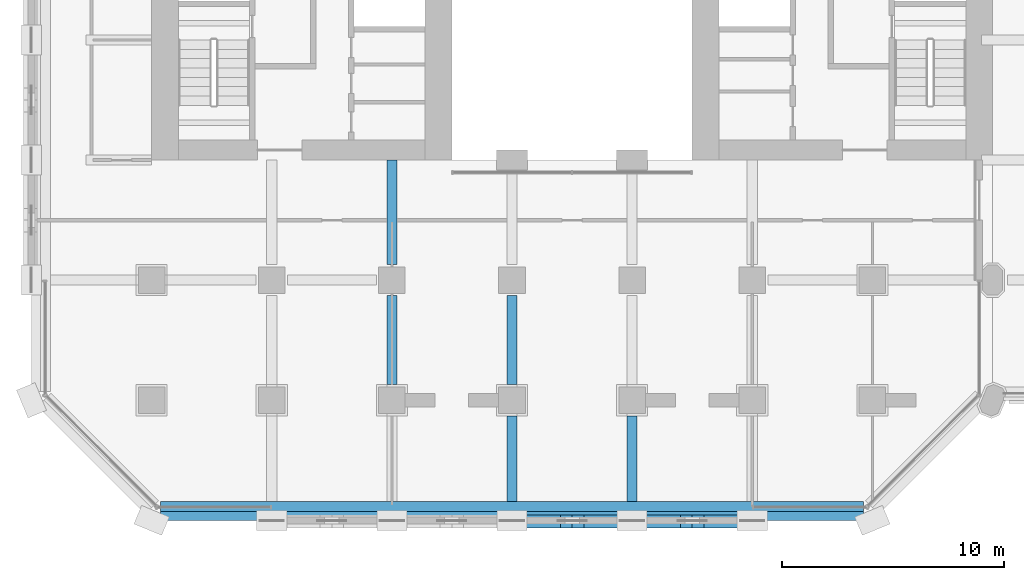
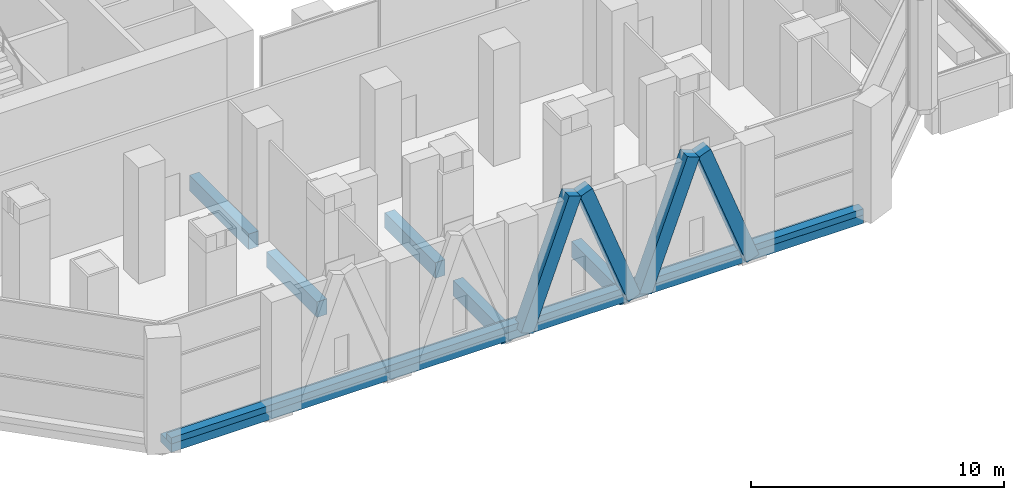
# One storey, part 3 of 34: 7 beams, 4 members.
"""IFC4 building model written with IfcOpenShell, lengths in metres."""

from ifc_helpers import new_model, si_unit, direction, frame, origin, origin_2d, place, context, subcontext, project, spatial, rectangle, extrude, material, material_profile, profile_set, type_object, element, save


model = new_model("IFC4")

# Units and contexts
model_context = context("Model", 3, precision=1e-05, world=origin(), true_north=direction((0.0, 1.0)))
body_context = subcontext(model_context, "Body", "Model", "MODEL_VIEW")
ifc_project = project(units=[si_unit("LENGTHUNIT", "METRE"), si_unit("AREAUNIT", "SQUARE_METRE"), si_unit("VOLUMEUNIT", "CUBIC_METRE"), si_unit("PLANEANGLEUNIT", "RADIAN"), si_unit("MASSUNIT", "GRAM", prefix="KILO")], contexts=[model_context])

# Site, building, storey
site_placement = place(None, origin())
site = spatial("IfcSite", under=ifc_project, at=site_placement, CompositionType="ELEMENT")
building_placement = place(site_placement, origin())
building = spatial("IfcBuilding", under=site, at=building_placement, Name="Tabaq Tower and Sports Hall", CompositionType="ELEMENT")
storey_placement = place(building_placement, frame((0.0, 0.0, 8.39990234375)))
storey = spatial("IfcBuildingStorey", under=building, at=storey_placement, Name="L01", CompositionType="ELEMENT", Elevation=8.39990234375)

# Beams
ifc_material_1 = material(Name="Concrete C40/50", Category="concrete")
ifc_material_profile_1 = material_profile(ifc_material_1, rectangle(XDim=0.449951171875, YDim=0.75, at=origin_2d()), Name="CB 450x750")
ifc_profile_set_1 = profile_set([ifc_material_profile_1], Name="Concrete C40/50")
beam_type_1 = type_object("IfcBeamType", Name="PT CANTILEVER BEAM CB 450x750 C40/50", PredefinedType="BEAM", material=ifc_profile_set_1)
beam_1_placement = place(storey_placement, frame((16.199951171875, 6.10009765625, -0.77490234375), z_axis=(0.0, 1.0, 0.0), x_axis=(-1.0, 0.0, 0.0)))
element("IfcBeam", 1, at=beam_1_placement, inside=storey, type_object=beam_type_1, Name="Cantilever Beam L01 S3 span 2", PredefinedType="BEAM", context=body_context, shape_type="SweptSolid", body=[
    extrude(rectangle(XDim=0.449951171875, YDim=0.75, at=origin_2d()), origin(), (0.0, 0.0, 1.0), 4.0),
])
beam_2_placement = place(storey_placement, frame((16.199951171875, 11.5, -0.77490234375), z_axis=(0.0, 1.0, 0.0), x_axis=(-1.0, 0.0, 0.0)))
element("IfcBeam", 2, at=beam_2_placement, inside=storey, type_object=beam_type_1, Name="Cantilever Beam L01 S3 span 3", PredefinedType="BEAM", context=body_context, shape_type="SweptSolid", body=[
    extrude(rectangle(XDim=0.449951171875, YDim=0.75, at=origin_2d()), origin(), (0.0, 0.0, 1.0), 4.699951171875),
])
beam_3_placement = place(storey_placement, frame((21.60009765625, 0.85009765625, -0.77490234375), z_axis=(0.0, 1.0, 0.0), x_axis=(-1.0, 0.0, 0.0)))
element("IfcBeam", 3, at=beam_3_placement, inside=storey, type_object=beam_type_1, Name="Cantilever Beam L01 S4 span 1", PredefinedType="BEAM", context=body_context, shape_type="SweptSolid", body=[
    extrude(rectangle(XDim=0.449951171875, YDim=0.75, at=origin_2d()), origin(), (0.0, 0.0, 1.0), 3.849853515625),
])
beam_4_placement = place(storey_placement, frame((21.60009765625, 6.10009765625, -0.77490234375), z_axis=(0.0, 1.0, 0.0), x_axis=(-1.0, 0.0, 0.0)))
element("IfcBeam", 4, at=beam_4_placement, inside=storey, type_object=beam_type_1, Name="Cantilever Beam L01 S4 span 2", PredefinedType="BEAM", context=body_context, shape_type="SweptSolid", body=[
    extrude(rectangle(XDim=0.449951171875, YDim=0.75, at=origin_2d()), origin(), (0.0, 0.0, 1.0), 4.0),
])
beam_5_placement = place(storey_placement, frame((27.0, 0.85009765625, -0.77490234375), z_axis=(0.0, 1.0, 0.0), x_axis=(-1.0, 0.0, 0.0)))
element("IfcBeam", 5, at=beam_5_placement, inside=storey, type_object=beam_type_1, Name="Cantilever Beam L01 S5 span 1", PredefinedType="BEAM", context=body_context, shape_type="SweptSolid", body=[
    extrude(rectangle(XDim=0.449951171875, YDim=0.75, at=origin_2d()), origin(), (0.0, 0.0, 1.0), 3.849853515625),
])
ifc_material_2 = material(Name="Concrete C40/50", Category="concrete")
ifc_material_profile_2 = material_profile(ifc_material_2, rectangle(XDim=0.85009765625, YDim=0.39990234375, at=origin_2d()), Name="EB 850x400")
ifc_profile_set_2 = profile_set([ifc_material_profile_2], Name="Concrete C40/50")
beam_type_2 = type_object("IfcBeamType", Name="PT EDGE BEAM EB 850x400 C40/50", PredefinedType="SPANDREL", material=ifc_profile_set_2)
beam_6_placement = place(storey_placement, frame((5.802001953125, 0.425048828125, -0.199951171875), z_axis=(1.0, 0.0, 0.0), x_axis=(0.0, 1.0, 0.0)))
element("IfcBeam", 6, at=beam_6_placement, inside=storey, type_object=beam_type_2, Name="Edge Beam L01 1", PredefinedType="SPANDREL", context=body_context, shape_type="SweptSolid", body=[
    extrude(rectangle(XDim=0.85009765625, YDim=0.39990234375, at=origin_2d()), origin(), (0.0, 0.0, 1.0), 31.595947265625),
])
ifc_material_3 = material(Name="Concrete C40/50", Category="concrete")
ifc_material_profile_3 = material_profile(ifc_material_3, rectangle(XDim=0.39990234375, YDim=0.300048828125, at=origin_2d()), Name="EU 400x300")
ifc_profile_set_3 = profile_set([ifc_material_profile_3], Name="Concrete C40/50")
beam_type_3 = type_object("IfcBeamType", Name="PT EDGE UPSTAND EU 400x300 C40/50", PredefinedType="BEAM", material=ifc_profile_set_3)
beam_7_placement = place(storey_placement, frame((5.802001953125, 0.199951171875, 0.150146484375), z_axis=(1.0, 0.0, 0.0), x_axis=(0.0, 1.0, 0.0)))
element("IfcBeam", 7, at=beam_7_placement, inside=storey, type_object=beam_type_3, Name="Edge Upstand L01 1", PredefinedType="BEAM", context=body_context, shape_type="SweptSolid", body=[
    extrude(rectangle(XDim=0.39990234375, YDim=0.300048828125, at=origin_2d()), origin(), (0.0, 0.0, 1.0), 31.595947265625),
])

# Members
ifc_material_4 = material(Name="Concrete C60/75", Category="concrete")
ifc_material_profile_4 = material_profile(ifc_material_4, rectangle(XDim=0.60009765625, YDim=0.60009765625, at=origin_2d()), Name="TRANSFER BAND BRACE 600x600")
ifc_profile_set_4 = profile_set([ifc_material_profile_4], Name="Concrete C60/75")
member_type = type_object("IfcMemberType", Name="RC TRANSFER BAND BRACE 600x600 C60/75", PredefinedType="BRACE", material=ifc_profile_set_4)
for number, where, z_axis, x_axis, name in (
    (8, (21.85009765625, -0.050048828125, -0.0498046875), (0.352000877522, 0.0, 0.935999669991), (0.0, 1.0, 0.0), "Transfer Band Brace L01 South 5"),
    (9, (26.75, -0.050048828125, -0.0498046875), (-0.352000877522, 0.0, 0.935999669991), (0.0, -1.0, 0.0), "Transfer Band Brace L01 South 6"),
    (10, (27.25, -0.050048828125, -0.0498046875), (0.352000877522, 0.0, 0.935999669991), (0.0, 1.0, 0.0), "Transfer Band Brace L01 South 7"),
    (11, (32.14990234375, -0.050048828125, -0.0498046875), (-0.352000877522, 0.0, 0.935999669991), (0.0, -1.0, 0.0), "Transfer Band Brace L01 South 8"),
):
    element("IfcMember", number, at=place(storey_placement, frame(where, z_axis=z_axis, x_axis=x_axis)), inside=storey, type_object=member_type, Name=name, PredefinedType="BRACE", context=body_context, shape_type="SweptSolid", body=[
        extrude(rectangle(XDim=0.60009765625, YDim=0.60009765625, at=origin_2d()), origin(), (0.0, 0.0, 1.0), 6.249755859375),
    ])

save(model, "model.ifc")
